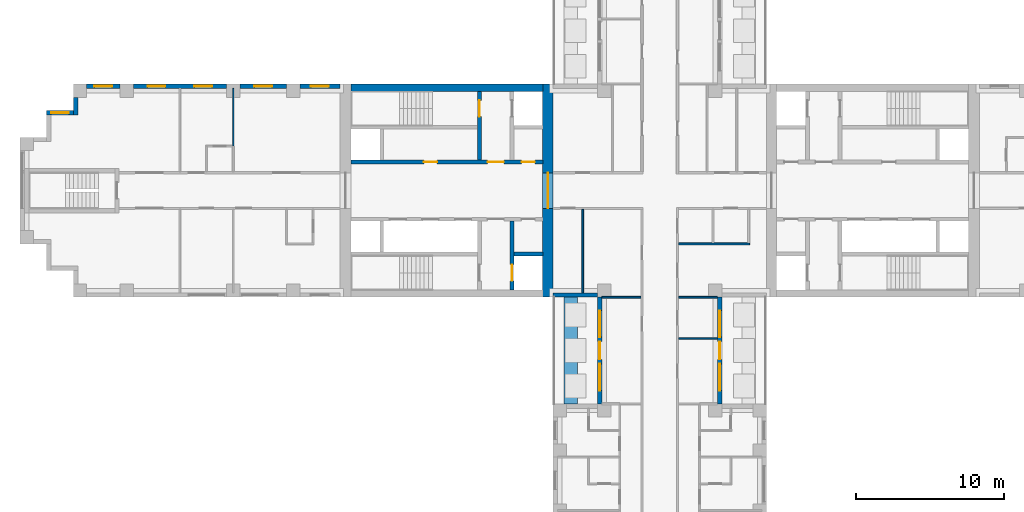
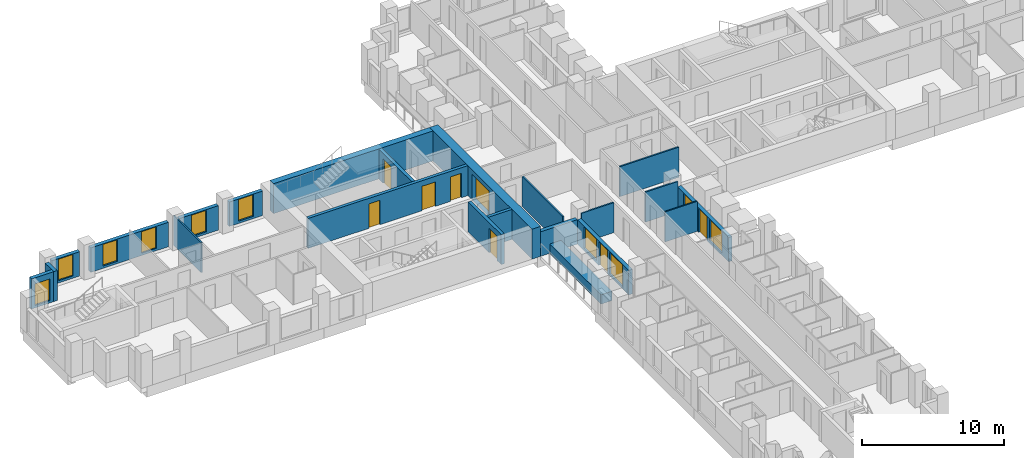
# One storey, part 7 of 14: 22 walls, 10 windows, 8 doors, 18 openings.
"""IFC4 building model written with IfcOpenShell, lengths in metres."""

import ifcopenshell
import ifcopenshell.guid

model = None  # the IFC model being written
_history = None  # IfcOwnerHistory: only IFC2X3 demands one
_inside = {}  # id of a spatial element -> (the spatial element, [elements in it])
_under = {}  # id of a project, library or spatial element -> (it, [spatial elements below it])
_declared = {}  # id of a project -> (the project, [libraries it declares])
_typed = {}  # id of a type object -> (the type object, [elements of that type])
_made_of = {}  # id of a material, layer set ... -> (it, [elements and type objects made of it])


def new_model(schema):
    """Start an empty IFC model of exactly this schema.

    Asked for "IFC4X3", IfcOpenShell would pick the latest addendum, in which some entities
    have other attributes; the version numbers below select the first issue.
    IFC2X3 requires an IfcOwnerHistory on every rooted entity: one is made here for all.
    """
    global model, _history
    if schema == "IFC4X3":
        model = ifcopenshell.file(schema_version=(4, 3, 0, 0))
    else:
        model = ifcopenshell.file(schema=schema)
    _inside.clear()
    _under.clear()
    _declared.clear()
    _typed.clear()
    _made_of.clear()
    _history = None
    if model.schema == "IFC2X3":
        org = make("IfcOrganization", Name="unknown")
        user = make(
            "IfcPersonAndOrganization",
            ThePerson=make("IfcPerson", FamilyName="unknown"),
            TheOrganization=org,
        )
        app = make(
            "IfcApplication",
            ApplicationDeveloper=org,
            Version="unknown",
            ApplicationFullName="unknown",
            ApplicationIdentifier="unknown",
        )
        _history = make(
            "IfcOwnerHistory",
            OwningUser=user,
            OwningApplication=app,
            ChangeAction="ADDED",
            CreationDate=0,
        )
    return model


def make(cls, **values):
    """One entity of the class cls with the attributes given. An attribute that is None is left unset."""
    return model.create_entity(
        cls, **{name: value for name, value in values.items() if value is not None}
    )


def rooted(cls, **values):
    """An entity with a GlobalId (a new one), such as an element, a storey or a relation."""
    return make(cls, GlobalId=ifcopenshell.guid.new(), OwnerHistory=_history, **values)


def si_unit(unit_type, name, prefix=None):
    """IfcSIUnit, for example si_unit("LENGTHUNIT", "METRE", prefix="MILLI")."""
    return make("IfcSIUnit", UnitType=unit_type, Prefix=prefix, Name=name)


def assignment(units):
    """IfcUnitAssignment: the units of a project."""
    return None if units is None else make("IfcUnitAssignment", Units=units)


def point(xyz):
    """IfcCartesianPoint."""
    return None if xyz is None else make("IfcCartesianPoint", Coordinates=xyz)


def direction(xyz):
    """IfcDirection."""
    return None if xyz is None else make("IfcDirection", DirectionRatios=xyz)


def frame(location, z_axis=None, x_axis=None):
    """IfcAxis2Placement3D, a coordinate frame: its origin and axes. An axis left out is left unset."""
    return make(
        "IfcAxis2Placement3D",
        Location=point(location),
        Axis=direction(z_axis),
        RefDirection=direction(x_axis),
    )


def frame_2d(location, x_axis=None):
    """IfcAxis2Placement2D, a coordinate frame in the plane: its origin and x axis."""
    return make(
        "IfcAxis2Placement2D", Location=point(location), RefDirection=direction(x_axis)
    )


def origin():
    """The frame at (0, 0, 0) with its axes left unset."""
    return frame((0.0, 0.0, 0.0))


def place(relative_to, where):
    """IfcLocalPlacement: puts the frame where relative to a parent placement (None: the world)."""
    return make(
        "IfcLocalPlacement", PlacementRelTo=relative_to, RelativePlacement=where
    )


def context(
    kind, dimensions, precision=None, world=None, true_north=None, identifier=None
):
    """IfcGeometricRepresentationContext, for example the 3D "Model" context."""
    return make(
        "IfcGeometricRepresentationContext",
        ContextIdentifier=identifier,
        ContextType=kind,
        CoordinateSpaceDimension=dimensions,
        Precision=precision,
        WorldCoordinateSystem=world,
        TrueNorth=true_north,
    )


def subcontext(parent, identifier, kind, view, scale=None):
    """IfcGeometricRepresentationSubContext, for example "Body" below "Model"."""
    return make(
        "IfcGeometricRepresentationSubContext",
        ContextIdentifier=identifier,
        ContextType=kind,
        ParentContext=parent,
        TargetScale=scale,
        TargetView=view,
    )


def project(units=None, contexts=None):
    """IfcProject with its units and contexts."""
    return rooted(
        "IfcProject",
        Name="project",
        RepresentationContexts=contexts,
        UnitsInContext=assignment(units),
    )


def spatial(cls, under=None, at=None, **own):
    """A site, building, storey or space (cls), placed at a placement, below another one or the project."""
    s = rooted(cls, ObjectPlacement=at, **own)
    if under is not None:
        _under.setdefault(under.id(), (under, []))[1].append(s)
    return s


def profile(cls, at=None, kind="AREA", **sizes):
    """A parametric profile (cls). Its sizes go by their IFC names, for example OverallWidth=200.0."""
    return make(cls, ProfileType=kind, Position=at, **sizes)


def rectangle(**sizes):
    """IfcRectangleProfileDef."""
    return profile("IfcRectangleProfileDef", **sizes)


def extrude(swept, where, along, depth):
    """IfcExtrudedAreaSolid: the profile swept, set in the frame where, extruded along a direction by depth."""
    return make(
        "IfcExtrudedAreaSolid",
        SweptArea=swept,
        Position=where,
        ExtrudedDirection=direction(along),
        Depth=depth,
    )


def shape(context_of_items, identifier, shape_type, items):
    """IfcShapeRepresentation: the items that make up one representation, for example the "Body"."""
    return make(
        "IfcShapeRepresentation",
        ContextOfItems=context_of_items,
        RepresentationIdentifier=identifier,
        RepresentationType=shape_type,
        Items=items,
    )


def material(Name=None, Category=None):
    """IfcMaterial."""
    return make("IfcMaterial", Name=Name, Category=Category)


def layer(
    of_material, thickness, ventilated=None, Name=None, Category=None, Priority=None
):
    """IfcMaterialLayer: one layer of a wall or slab, of a material (None: an air gap)."""
    return make(
        "IfcMaterialLayer",
        Material=of_material,
        LayerThickness=thickness,
        IsVentilated=ventilated,
        Name=Name,
        Category=Category,
        Priority=Priority,
    )


def layer_set(layers, Name=None):
    """IfcMaterialLayerSet."""
    return make("IfcMaterialLayerSet", MaterialLayers=layers, LayerSetName=Name)


def made_of(thing, what):
    """Note that an element or type object is made of a material, layer set ...; save() writes the relation."""
    if what is not None:
        _made_of.setdefault(what.id(), (what, []))[1].append(thing)
    return thing


def type_object(cls, material=None, **own):
    """A type object (cls), such as IfcWallType, which elements share."""
    return made_of(rooted(cls, **own), material)


def element(
    cls,
    number,
    at=None,
    inside=None,
    cuts=None,
    type_object=None,
    material=None,
    context=None,
    identifier="Body",
    shape_type=None,
    held_by="IfcProductDefinitionShape",
    body=None,
    shapes=None,
    **own,
):
    """One element of the class cls, such as IfcWall. Its Tag is "e" and its number.

    at: its placement. inside: the storey or other place that contains it. cuts: it is an
    opening in that element (IfcRelVoidsElement). A single representation is given by context,
    identifier, shape_type and body (its items); several are given by shapes. held_by: the class
    of the entity that holds the representations. save() writes the other relations.
    """
    e = rooted(cls, Tag="e%d" % number, ObjectPlacement=at, **own)
    if body is not None:
        shapes = [shape(context, identifier, shape_type, body)]
    if shapes is not None:
        e.Representation = make(held_by, Representations=shapes)
    if inside is not None:
        _inside.setdefault(inside.id(), (inside, []))[1].append(e)
    if cuts is not None:
        rooted(
            "IfcRelVoidsElement", RelatingBuildingElement=cuts, RelatedOpeningElement=e
        )
    if type_object is not None:
        _typed.setdefault(type_object.id(), (type_object, []))[1].append(e)
    return made_of(e, material)


def fill(opening, filler):
    """IfcRelFillsElement: the door or window that sits in an opening."""
    return rooted(
        "IfcRelFillsElement",
        RelatingOpeningElement=opening,
        RelatedBuildingElement=filler,
    )


def aggregate(whole, parts):
    """IfcRelAggregates: a whole, such as a stair, and the parts it consists of."""
    return rooted("IfcRelAggregates", RelatingObject=whole, RelatedObjects=parts)


def save(model, path):
    """Write the relations noted so far, then the file.

    IfcRelAggregates (storeys below a building ...), IfcRelContainedInSpatialStructure (elements
    in a storey), IfcRelDefinesByType, IfcRelAssociatesMaterial and IfcRelDeclares: one each for
    every whole, place, type object, material and project.
    """
    for whole, parts in _under.values():
        aggregate(whole, parts)
    for where, things in _inside.values():
        rooted(
            "IfcRelContainedInSpatialStructure",
            RelatedElements=things,
            RelatingStructure=where,
        )
    for kind, things in _typed.values():
        rooted("IfcRelDefinesByType", RelatedObjects=things, RelatingType=kind)
    for what, things in _made_of.values():
        rooted("IfcRelAssociatesMaterial", RelatedObjects=things, RelatingMaterial=what)
    for by, libraries in _declared.values():
        rooted("IfcRelDeclares", RelatingContext=by, RelatedDefinitions=libraries)
    model.write(path)


model = new_model("IFC4")

# Units and contexts
model_context = context("Model", 3, precision=1e-05, world=origin(), true_north=direction((0.0, 1.0)))
body_context = subcontext(model_context, "Body", "Model", "MODEL_VIEW")
ifc_project = project(units=[si_unit("LENGTHUNIT", "METRE"), si_unit("AREAUNIT", "SQUARE_METRE"), si_unit("VOLUMEUNIT", "CUBIC_METRE"), si_unit("PLANEANGLEUNIT", "RADIAN"), si_unit("MASSUNIT", "GRAM", prefix="KILO")], contexts=[model_context])

# Site, building, storey
site_placement = place(None, origin())
site = spatial("IfcSite", under=ifc_project, at=site_placement, CompositionType="ELEMENT")
building_placement = place(site_placement, origin())
building = spatial("IfcBuilding", under=site, at=building_placement, Name="Fustian Cross Tower", CompositionType="ELEMENT")
storey_placement = place(building_placement, frame((0.0, 0.0, 93.89990234375)))
storey = spatial("IfcBuildingStorey", under=building, at=storey_placement, Name="L29", CompositionType="ELEMENT", Elevation=93.89990234375)

# Wall, opening, door
ifc_material_1 = material(Name="Concrete C70/85", Category="concrete")
ifc_layer_1 = layer(ifc_material_1, 0.699951171875)
ifc_layer_set_1 = layer_set([ifc_layer_1], Name="Concrete C70/85")
wall_type_1 = type_object("IfcWallType", Name="CORE END WALL 700 C70/85", PredefinedType="SHEAR", material=ifc_layer_set_1)
wall_1_placement = place(storey_placement, frame((-7.550048828125, -7.199951171875, 0.0), z_axis=(0.0, 0.0, 1.0), x_axis=(0.0, 1.0, 0.0)))
wall_1 = element("IfcWall", 1, at=wall_1_placement, inside=storey, type_object=wall_type_1, Name="Core end wall", PredefinedType="SHEAR", context=body_context, shape_type="SweptSolid", body=[
    extrude(rectangle(XDim=14.39990234375, YDim=0.699951171875, at=frame_2d((7.199951171875, 0.0))), origin(), (0.0, 0.0, 1.0), 2.5751953125),
])
opening_1_placement = place(wall_1_placement, frame((6.0, 0.0, 0.0)))
opening_1 = element("IfcOpeningElement", 2, at=opening_1_placement, cuts=wall_1, Name="Opening CD-09-26", PredefinedType="OPENING", context=body_context, shape_type="SweptSolid", body=[
    extrude(rectangle(XDim=2.39990234375, YDim=2.199951171875, at=frame_2d((1.199951171875, 1.10009765625))), frame((0.0, 0.35986328125, 0.0), z_axis=(0.0, -1.0, 0.0), x_axis=(1.0, 0.0, 0.0)), (0.0, 0.0, 1.0), 0.719970703125),
])
ifc_material_2 = material(Name="Steel", Category="steel")
door_type_1 = type_object("IfcDoorType", Name="FIRE DOOR FD30S DOUBLE 2400X2200", OperationType="DOUBLE_DOOR_DOUBLE_SWING", PredefinedType="DOOR", material=ifc_material_2)
door_1_placement = place(opening_1_placement, origin())
door_1 = element("IfcDoor", 3, at=door_1_placement, inside=storey, type_object=door_type_1, Name="Core door CD-09-26", OperationType="DOUBLE_DOOR_DOUBLE_SWING", OverallHeight=2.199951171875, OverallWidth=2.39990234375, PredefinedType="DOOR", context=body_context, shape_type="SweptSolid", body=[
    extrude(rectangle(XDim=2.39990234375, YDim=2.199951171875, at=frame_2d((1.199951171875, 1.10009765625))), frame((0.0, 0.02490234375, 0.0), z_axis=(0.0, -1.0, 0.0), x_axis=(1.0, 0.0, 0.0)), (0.0, 0.0, 1.0), 0.050048828125),
])
fill(opening_1, door_1)

# Wall
ifc_material_3 = material(Name="Concrete C70/85", Category="concrete")
ifc_layer_2 = layer(ifc_material_3, 0.5)
ifc_layer_set_2 = layer_set([ifc_layer_2], Name="Concrete C70/85")
wall_type_2 = type_object("IfcWallType", Name="CORE FACADE WALL 500 C70/85", PredefinedType="SHEAR", material=ifc_layer_set_2)
wall_2_placement = place(storey_placement, frame((-7.89990234375, 6.949951171875, 0.0), z_axis=(0.0, 0.0, 1.0), x_axis=(-1.0, 0.0, 0.0)))
element("IfcWall", 4, at=wall_2_placement, inside=storey, type_object=wall_type_2, Name="Core facade wall", PredefinedType="SHEAR", context=body_context, shape_type="SweptSolid", body=[
    extrude(rectangle(XDim=12.9501953125, YDim=0.5, at=frame_2d((6.47509765625, 0.0))), origin(), (0.0, 0.0, 1.0), 2.5751953125),
])

# Wall, openings, doors
ifc_material_4 = material(Name="Concrete C50/60", Category="concrete")
ifc_layer_3 = layer(ifc_material_4, 0.25)
ifc_layer_set_3 = layer_set([ifc_layer_3], Name="Concrete C50/60")
wall_type_3 = type_object("IfcWallType", Name="CORE LOBBY WALL 250 C50/60", PredefinedType="SHEAR", material=ifc_layer_set_3)
wall_3_placement = place(storey_placement, frame((-7.89990234375, 1.925048828125, 0.0), z_axis=(0.0, 0.0, 1.0), x_axis=(-1.0, 0.0, 0.0)))
wall_3 = element("IfcWall", 5, at=wall_3_placement, inside=storey, type_object=wall_type_3, Name="Core lobby wall", PredefinedType="SHEAR", context=body_context, shape_type="SweptSolid", body=[
    extrude(rectangle(XDim=12.9501953125, YDim=0.25, at=frame_2d((6.47509765625, 0.0))), origin(), (0.0, 0.0, 1.0), 2.5751953125),
])
opening_2_placement = place(wall_3_placement, frame((0.52490234375, 0.0, 0.0)))
opening_2 = element("IfcOpeningElement", 6, at=opening_2_placement, cuts=wall_3, Name="Opening CD-09-22", PredefinedType="OPENING", context=body_context, shape_type="SweptSolid", body=[
    extrude(rectangle(XDim=0.89990234375, YDim=2.10009765625, at=frame_2d((0.449951171875, 1.050048828125))), frame((0.0, 0.135009765625, 0.0), z_axis=(0.0, -1.0, 0.0), x_axis=(1.0, 0.0, 0.0)), (0.0, 0.0, 1.0), 0.27001953125),
])
opening_3_placement = place(wall_3_placement, frame((2.625, 0.0, 0.0)))
opening_3 = element("IfcOpeningElement", 7, at=opening_3_placement, cuts=wall_3, Name="Opening CD-09-24", PredefinedType="OPENING", context=body_context, shape_type="SweptSolid", body=[
    extrude(rectangle(XDim=1.10009765625, YDim=2.10009765625, at=frame_2d((0.550048828125, 1.050048828125))), frame((0.0, 0.135009765625, 0.0), z_axis=(0.0, -1.0, 0.0), x_axis=(1.0, 0.0, 0.0)), (0.0, 0.0, 1.0), 0.27001953125),
])
opening_4_placement = place(wall_3_placement, frame((7.125, 0.0, 0.0)))
opening_4 = element("IfcOpeningElement", 8, at=opening_4_placement, cuts=wall_3, Name="Opening CD-09-28", PredefinedType="OPENING", context=body_context, shape_type="SweptSolid", body=[
    extrude(rectangle(XDim=0.89990234375, YDim=2.10009765625, at=frame_2d((0.449951171875, 1.050048828125))), frame((0.0, 0.135009765625, 0.0), z_axis=(0.0, -1.0, 0.0), x_axis=(1.0, 0.0, 0.0)), (0.0, 0.0, 1.0), 0.27001953125),
])
ifc_material_5 = material(Name="Steel", Category="steel")
door_type_2 = type_object("IfcDoorType", Name="FIRE DOOR FD30S 900X2100", OperationType="SINGLE_SWING_LEFT", PredefinedType="DOOR", material=ifc_material_5)
door_2_placement = place(opening_4_placement, frame((0.89990234375, 0.0, 0.0), z_axis=(0.0, 0.0, 1.0), x_axis=(-1.0, 0.0, 0.0)))
door_2 = element("IfcDoor", 9, at=door_2_placement, inside=storey, type_object=door_type_2, Name="Core door CD-09-28", OperationType="SINGLE_SWING_RIGHT", OverallHeight=2.10009765625, OverallWidth=0.89990234375, PredefinedType="DOOR", context=body_context, shape_type="SweptSolid", body=[
    extrude(rectangle(XDim=0.89990234375, YDim=2.10009765625, at=frame_2d((0.449951171875, 1.050048828125))), frame((0.0, 0.02490234375, 0.0), z_axis=(0.0, -1.0, 0.0), x_axis=(1.0, 0.0, 0.0)), (0.0, 0.0, 1.0), 0.050048828125),
])
fill(opening_4, door_2)
ifc_material_6 = material(Name="Steel", Category="steel")
door_type_3 = type_object("IfcDoorType", Name="FIRE DOOR FD60S 1100X2100", OperationType="SINGLE_SWING_LEFT", PredefinedType="DOOR", material=ifc_material_6)
door_3_placement = place(opening_3_placement, frame((1.10009765625, 0.0, 0.0), z_axis=(0.0, 0.0, 1.0), x_axis=(-1.0, 0.0, 0.0)))
door_3 = element("IfcDoor", 10, at=door_3_placement, inside=storey, type_object=door_type_3, Name="Core door CD-09-24", OperationType="SINGLE_SWING_RIGHT", OverallHeight=2.10009765625, OverallWidth=1.10009765625, PredefinedType="DOOR", context=body_context, shape_type="SweptSolid", body=[
    extrude(rectangle(XDim=1.10009765625, YDim=2.10009765625, at=frame_2d((0.550048828125, 1.050048828125))), frame((0.0, 0.02490234375, 0.0), z_axis=(0.0, -1.0, 0.0), x_axis=(1.0, 0.0, 0.0)), (0.0, 0.0, 1.0), 0.050048828125),
])
fill(opening_3, door_3)
ifc_material_7 = material(Name="Steel", Category="steel")
door_type_4 = type_object("IfcDoorType", Name="FIRE DOOR FD60S 900X2100", OperationType="SINGLE_SWING_LEFT", PredefinedType="DOOR", material=ifc_material_7)
door_4_placement = place(opening_2_placement, frame((0.89990234375, 0.0, 0.0), z_axis=(0.0, 0.0, 1.0), x_axis=(-1.0, 0.0, 0.0)))
door_4 = element("IfcDoor", 11, at=door_4_placement, inside=storey, type_object=door_type_4, Name="Core door CD-09-22", OperationType="SINGLE_SWING_RIGHT", OverallHeight=2.10009765625, OverallWidth=0.89990234375, PredefinedType="DOOR", context=body_context, shape_type="SweptSolid", body=[
    extrude(rectangle(XDim=0.89990234375, YDim=2.10009765625, at=frame_2d((0.449951171875, 1.050048828125))), frame((0.0, 0.02490234375, 0.0), z_axis=(0.0, -1.0, 0.0), x_axis=(1.0, 0.0, 0.0)), (0.0, 0.0, 1.0), 0.050048828125),
])
fill(opening_2, door_4)

# Wall, opening, door
ifc_material_8 = material(Name="Concrete C50/60", Category="concrete")
ifc_layer_4 = layer(ifc_material_8, 0.25)
ifc_layer_set_4 = layer_set([ifc_layer_4], Name="Concrete C50/60")
wall_type_4 = type_object("IfcWallType", Name="CORE SHAFT WALL 250 C50/60", PredefinedType="SHEAR", material=ifc_layer_set_4)
wall_4_placement = place(storey_placement, frame((-12.175048828125, 2.050048828125, 0.0), z_axis=(0.0, 0.0, 1.0), x_axis=(0.0, 1.0, 0.0)))
wall_4 = element("IfcWall", 12, at=wall_4_placement, inside=storey, type_object=wall_type_4, Name="Core shaft wall", PredefinedType="SHEAR", context=body_context, shape_type="SweptSolid", body=[
    extrude(rectangle(XDim=4.64990234375, YDim=0.25, at=frame_2d((2.324951171875, 0.0))), origin(), (0.0, 0.0, 1.0), 2.5751953125),
])
opening_5_placement = place(wall_4_placement, frame((2.949951171875, 0.0, 0.0)))
opening_5 = element("IfcOpeningElement", 13, at=opening_5_placement, cuts=wall_4, Name="Opening CD-09-20", PredefinedType="OPENING", context=body_context, shape_type="SweptSolid", body=[
    extrude(rectangle(XDim=1.10009765625, YDim=2.10009765625, at=frame_2d((0.550048828125, 1.050048828125))), frame((0.0, 0.135009765625, 0.0), z_axis=(0.0, -1.0, 0.0), x_axis=(1.0, 0.0, 0.0)), (0.0, 0.0, 1.0), 0.27001953125),
])
door_5_placement = place(opening_5_placement, origin())
door_5 = element("IfcDoor", 14, at=door_5_placement, inside=storey, type_object=door_type_3, Name="Core door CD-09-20", OperationType="SINGLE_SWING_LEFT", OverallHeight=2.10009765625, OverallWidth=1.10009765625, PredefinedType="DOOR", context=body_context, shape_type="SweptSolid", body=[
    extrude(rectangle(XDim=1.10009765625, YDim=2.10009765625, at=frame_2d((0.550048828125, 1.050048828125))), frame((0.0, 0.02490234375, 0.0), z_axis=(0.0, -1.0, 0.0), x_axis=(1.0, 0.0, 0.0)), (0.0, 0.0, 1.0), 0.050048828125),
])
fill(opening_5, door_5)

# Wall
wall_5_placement = place(storey_placement, frame((-7.89990234375, -4.27490234375, 0.0), z_axis=(0.0, 0.0, 1.0), x_axis=(-1.0, 0.0, 0.0)))
element("IfcWall", 15, at=wall_5_placement, inside=storey, type_object=wall_type_4, Name="Core shaft wall", PredefinedType="SHEAR", context=body_context, shape_type="SweptSolid", body=[
    extrude(rectangle(XDim=1.9501953125, YDim=0.25, at=frame_2d((0.97509765625, 0.0))), origin(), (0.0, 0.0, 1.0), 2.5751953125),
])

# Wall, opening, door
wall_6_placement = place(storey_placement, frame((-9.97509765625, -2.050048828125, 0.0), z_axis=(0.0, 0.0, 1.0), x_axis=(0.0, -1.0, 0.0)))
wall_6 = element("IfcWall", 16, at=wall_6_placement, inside=storey, type_object=wall_type_4, Name="Core shaft wall", PredefinedType="SHEAR", context=body_context, shape_type="SweptSolid", body=[
    extrude(rectangle(XDim=4.64990234375, YDim=0.25, at=frame_2d((2.324951171875, 0.0))), origin(), (0.0, 0.0, 1.0), 2.5751953125),
])
opening_6_placement = place(wall_6_placement, frame((2.949951171875, 0.0, 0.0)))
opening_6 = element("IfcOpeningElement", 17, at=opening_6_placement, cuts=wall_6, Name="Opening LD", PredefinedType="OPENING", context=body_context, shape_type="SweptSolid", body=[
    extrude(rectangle(XDim=1.10009765625, YDim=2.10009765625, at=frame_2d((0.550048828125, 1.050048828125))), frame((0.0, 0.135009765625, 0.0), z_axis=(0.0, -1.0, 0.0), x_axis=(1.0, 0.0, 0.0)), (0.0, 0.0, 1.0), 0.27001953125),
])
ifc_material_9 = material(Name="Stainless steel", Category="steel")
door_type_5 = type_object("IfcDoorType", Name="LIFT LANDING DOOR 1100X2100", OperationType="SLIDING_TO_LEFT", PredefinedType="DOOR", material=ifc_material_9)
door_6_placement = place(opening_6_placement, origin())
door_6 = element("IfcDoor", 18, at=door_6_placement, inside=storey, type_object=door_type_5, Name="Landing door SV1W", OperationType="SLIDING_TO_LEFT", OverallHeight=2.10009765625, OverallWidth=1.10009765625, PredefinedType="DOOR", context=body_context, shape_type="SweptSolid", body=[
    extrude(rectangle(XDim=1.10009765625, YDim=2.10009765625, at=frame_2d((0.550048828125, 1.050048828125))), frame((0.0, 0.02490234375, 0.0), z_axis=(0.0, -1.0, 0.0), x_axis=(1.0, 0.0, 0.0)), (0.0, 0.0, 1.0), 0.050048828125),
])
fill(opening_6, door_6)

# Walls
ifc_material_10 = material(Name="Plasterboard on steel stud", Category="steel")
ifc_layer_5 = layer(ifc_material_10, 0.10009765625)
ifc_layer_set_5 = layer_set([ifc_layer_5], Name="Plasterboard on steel stud")
wall_type_5 = type_object("IfcWallType", Name="PARTITION 100 STUD", PredefinedType="PARTITIONING", material=ifc_layer_set_5)
wall_7_placement = place(storey_placement, frame((-28.800048828125, 3.0, 0.0), z_axis=(0.0, 0.0, 1.0), x_axis=(0.0, 1.0, 0.0)))
element("IfcWall", 19, at=wall_7_placement, inside=storey, type_object=wall_type_5, Name="Partition 9", PredefinedType="PARTITIONING", context=body_context, shape_type="SweptSolid", body=[
    extrude(rectangle(XDim=3.89990234375, YDim=0.10009765625, at=frame_2d((1.949951171875, 0.0))), origin(), (0.0, 0.0, 1.0), 2.5751953125),
])
wall_8_placement = place(storey_placement, frame((1.27490234375, -10.0, 0.0), z_axis=(0.0, 0.0, 1.0), x_axis=(1.0, 0.0, 0.0)))
element("IfcWall", 20, at=wall_8_placement, inside=storey, type_object=wall_type_5, Name="Partition 46", PredefinedType="PARTITIONING", context=body_context, shape_type="SweptSolid", body=[
    extrude(rectangle(XDim=2.625, YDim=0.10009765625, at=frame_2d((1.3125, 0.0))), origin(), (0.0, 0.0, 1.0), 2.5751953125),
])
ifc_material_11 = material(Name="Concrete C40/50", Category="concrete")
ifc_layer_6 = layer(ifc_material_11, 0.89990234375)
ifc_layer_set_6 = layer_set([ifc_layer_6], Name="Concrete C40/50")
wall_type_6 = type_object("IfcWallType", Name="PK1 PLANTER 900", PredefinedType="PARAPET", material=ifc_layer_set_6)
wall_9_placement = place(storey_placement, frame((-6.0, -14.39990234375, 0.0), z_axis=(0.0, 0.0, 1.0), x_axis=(0.0, 1.0, 0.0)))
element("IfcWall", 21, at=wall_9_placement, inside=storey, type_object=wall_type_6, Name="PLANTER", PredefinedType="PARAPET", context=body_context, shape_type="SweptSolid", body=[
    extrude(rectangle(XDim=7.199951171875, YDim=0.89990234375, at=frame_2d((3.60009765625, 0.0))), origin(), (0.0, 0.0, 1.0), 0.800048828125),
])
ifc_material_12 = material(Name="Plasterboard on steel stud", Category="steel")
ifc_layer_7 = layer(ifc_material_12, 0.125)
ifc_layer_set_7 = layer_set([ifc_layer_7], Name="Plasterboard on steel stud")
wall_type_7 = type_object("IfcWallType", Name="WET WALL 125 STUD", PredefinedType="PARTITIONING", material=ifc_layer_set_7)
wall_10_placement = place(storey_placement, frame((-5.199951171875, -6.89990234375, 0.0), z_axis=(0.0, 0.0, 1.0), x_axis=(0.0, 1.0, 0.0)))
element("IfcWall", 22, at=wall_10_placement, inside=storey, type_object=wall_type_7, Name="Partition 22", PredefinedType="PARTITIONING", context=body_context, shape_type="SweptSolid", body=[
    extrude(rectangle(XDim=5.625, YDim=0.125, at=frame_2d((2.8125, 0.0))), origin(), (0.0, 0.0, 1.0), 2.5751953125),
])
for number, where, z_axis, x_axis, name in (
    (23, (-3.89990234375, -7.199951171875, 0.0), (0.0, 0.0, 1.0), (1.0, 0.0, 0.0), "Partition 34"),
    (24, (1.27490234375, -7.199951171875, 0.0), (0.0, 0.0, 1.0), (1.0, 0.0, 0.0), "Partition 47"),
):
    element("IfcWall", number, at=place(storey_placement, frame(where, z_axis=z_axis, x_axis=x_axis)), inside=storey, type_object=wall_type_7, Name=name, PredefinedType="PARTITIONING", context=body_context, shape_type="SweptSolid", body=[
        extrude(rectangle(XDim=2.625, YDim=0.125, at=frame_2d((1.3125, 0.0))), origin(), (0.0, 0.0, 1.0), 2.5751953125),
    ])
wall_11_placement = place(storey_placement, frame((1.27490234375, -3.60009765625, 0.0), z_axis=(0.0, 0.0, 1.0), x_axis=(1.0, 0.0, 0.0)))
element("IfcWall", 25, at=wall_11_placement, inside=storey, type_object=wall_type_7, Name="Partition 48", PredefinedType="PARTITIONING", context=body_context, shape_type="SweptSolid", body=[
    extrude(rectangle(XDim=4.78759765625, YDim=0.125, at=frame_2d((2.393798828125, 0.0))), origin(), (0.0, 0.0, 1.0), 2.5751953125),
])

# Wall, opening, window
ifc_material_13 = material(Name="Dark aluminium cladding on insulated backing wall", Category="aluminium")
ifc_layer_8 = layer(ifc_material_13, 0.300048828125)
ifc_layer_set_8 = layer_set([ifc_layer_8], Name="Dark aluminium cladding on insulated backing wall")
wall_type_8 = type_object("IfcWallType", Name="XW1 EXTERNAL WALL 300", PredefinedType="SOLIDWALL", material=ifc_layer_set_8)
wall_12_placement = place(storey_placement, frame((-21.60009765625, 7.050048828125, 0.0), z_axis=(0.0, 0.0, 1.0), x_axis=(-1.0, 0.0, 0.0)))
wall_12 = element("IfcWall", 26, at=wall_12_placement, inside=storey, type_object=wall_type_8, Name="External wall", PredefinedType="SOLIDWALL", context=body_context, shape_type="SweptSolid", body=[
    extrude(rectangle(XDim=2.699951171875, YDim=0.300048828125, at=frame_2d((1.35009765625, 0.0))), origin(), (0.0, 0.0, 1.0), 2.10009765625),
])
opening_7_placement = place(wall_12_placement, frame((0.75, 0.0, 0.199951171875)))
opening_7 = element("IfcOpeningElement", 27, at=opening_7_placement, cuts=wall_12, Name="Opening WN3", PredefinedType="OPENING", context=body_context, shape_type="SweptSolid", body=[
    extrude(rectangle(XDim=1.199951171875, YDim=1.85009765625, at=frame_2d((0.60009765625, 0.925048828125))), frame((0.0, 0.159912109375, 0.0), z_axis=(0.0, -1.0, 0.0), x_axis=(1.0, 0.0, 0.0)), (0.0, 0.0, 1.0), 0.320068359375),
])
ifc_material_14 = material(Name="Dark anodised aluminium and double glazing", Category="aluminium")
window_type_1 = type_object("IfcWindowType", Name="WN3 WINDOW 1200X1850", PartitioningType="SINGLE_PANEL", PredefinedType="WINDOW", material=ifc_material_14)
window_1_placement = place(opening_7_placement, origin())
window_1 = element("IfcWindow", 28, at=window_1_placement, inside=storey, type_object=window_type_1, Name="Window", OverallHeight=1.85009765625, OverallWidth=1.199951171875, PartitioningType="SINGLE_PANEL", PredefinedType="WINDOW", context=body_context, shape_type="SweptSolid", body=[
    extrude(rectangle(XDim=1.199951171875, YDim=1.85009765625, at=frame_2d((0.60009765625, 0.925048828125))), frame((0.0, 0.030029296875, 0.0), z_axis=(0.0, -1.0, 0.0), x_axis=(1.0, 0.0, 0.0)), (0.0, 0.0, 1.0), 0.06005859375),
])
fill(opening_7, window_1)

wall_13_placement = place(storey_placement, frame((-25.199951171875, 7.050048828125, 0.0), z_axis=(0.0, 0.0, 1.0), x_axis=(-1.0, 0.0, 0.0)))
wall_13 = element("IfcWall", 29, at=wall_13_placement, inside=storey, type_object=wall_type_8, Name="External wall", PredefinedType="SOLIDWALL", context=body_context, shape_type="SweptSolid", body=[
    extrude(rectangle(XDim=3.150146484375, YDim=0.300048828125, at=frame_2d((1.5751953125, 0.0))), origin(), (0.0, 0.0, 1.0), 2.10009765625),
])
opening_8_placement = place(wall_13_placement, frame((0.97509765625, 0.0, 0.199951171875)))
opening_8 = element("IfcOpeningElement", 30, at=opening_8_placement, cuts=wall_13, Name="Opening WN3", PredefinedType="OPENING", context=body_context, shape_type="SweptSolid", body=[
    extrude(rectangle(XDim=1.199951171875, YDim=1.85009765625, at=frame_2d((0.60009765625, 0.925048828125))), frame((0.0, 0.159912109375, 0.0), z_axis=(0.0, -1.0, 0.0), x_axis=(1.0, 0.0, 0.0)), (0.0, 0.0, 1.0), 0.320068359375),
])
window_2_placement = place(opening_8_placement, origin())
window_2 = element("IfcWindow", 31, at=window_2_placement, inside=storey, type_object=window_type_1, Name="Window", OverallHeight=1.85009765625, OverallWidth=1.199951171875, PartitioningType="SINGLE_PANEL", PredefinedType="WINDOW", context=body_context, shape_type="SweptSolid", body=[
    extrude(rectangle(XDim=1.199951171875, YDim=1.85009765625, at=frame_2d((0.60009765625, 0.925048828125))), frame((0.0, 0.030029296875, 0.0), z_axis=(0.0, -1.0, 0.0), x_axis=(1.0, 0.0, 0.0)), (0.0, 0.0, 1.0), 0.06005859375),
])
fill(opening_8, window_2)

# Wall, openings, windows
wall_14_placement = place(storey_placement, frame((-29.25, 7.050048828125, 0.0), z_axis=(0.0, 0.0, 1.0), x_axis=(-1.0, 0.0, 0.0)))
wall_14 = element("IfcWall", 32, at=wall_14_placement, inside=storey, type_object=wall_type_8, Name="External wall", PredefinedType="SOLIDWALL", context=body_context, shape_type="SweptSolid", body=[
    extrude(rectangle(XDim=6.300048828125, YDim=0.300048828125, at=frame_2d((3.14990234375, 0.0))), origin(), (0.0, 0.0, 1.0), 2.10009765625),
])
opening_9_placement = place(wall_14_placement, frame((0.97509765625, 0.0, 0.199951171875)))
opening_9 = element("IfcOpeningElement", 33, at=opening_9_placement, cuts=wall_14, Name="Opening WN3", PredefinedType="OPENING", context=body_context, shape_type="SweptSolid", body=[
    extrude(rectangle(XDim=1.199951171875, YDim=1.85009765625, at=frame_2d((0.60009765625, 0.925048828125))), frame((0.0, 0.159912109375, 0.0), z_axis=(0.0, -1.0, 0.0), x_axis=(1.0, 0.0, 0.0)), (0.0, 0.0, 1.0), 0.320068359375),
])
opening_10_placement = place(wall_14_placement, frame((4.125, 0.0, 0.199951171875)))
opening_10 = element("IfcOpeningElement", 34, at=opening_10_placement, cuts=wall_14, Name="Opening WN3", PredefinedType="OPENING", context=body_context, shape_type="SweptSolid", body=[
    extrude(rectangle(XDim=1.199951171875, YDim=1.85009765625, at=frame_2d((0.60009765625, 0.925048828125))), frame((0.0, 0.159912109375, 0.0), z_axis=(0.0, -1.0, 0.0), x_axis=(1.0, 0.0, 0.0)), (0.0, 0.0, 1.0), 0.320068359375),
])
window_3_placement = place(opening_9_placement, origin())
window_3 = element("IfcWindow", 35, at=window_3_placement, inside=storey, type_object=window_type_1, Name="Window", OverallHeight=1.85009765625, OverallWidth=1.199951171875, PartitioningType="SINGLE_PANEL", PredefinedType="WINDOW", context=body_context, shape_type="SweptSolid", body=[
    extrude(rectangle(XDim=1.199951171875, YDim=1.85009765625, at=frame_2d((0.60009765625, 0.925048828125))), frame((0.0, 0.030029296875, 0.0), z_axis=(0.0, -1.0, 0.0), x_axis=(1.0, 0.0, 0.0)), (0.0, 0.0, 1.0), 0.06005859375),
])
fill(opening_9, window_3)
window_4_placement = place(opening_10_placement, origin())
window_4 = element("IfcWindow", 36, at=window_4_placement, inside=storey, type_object=window_type_1, Name="Window", OverallHeight=1.85009765625, OverallWidth=1.199951171875, PartitioningType="SINGLE_PANEL", PredefinedType="WINDOW", context=body_context, shape_type="SweptSolid", body=[
    extrude(rectangle(XDim=1.199951171875, YDim=1.85009765625, at=frame_2d((0.60009765625, 0.925048828125))), frame((0.0, 0.030029296875, 0.0), z_axis=(0.0, -1.0, 0.0), x_axis=(1.0, 0.0, 0.0)), (0.0, 0.0, 1.0), 0.06005859375),
])
fill(opening_10, window_4)

# Wall, opening, window
wall_15_placement = place(storey_placement, frame((-36.449951171875, 7.050048828125, 0.0), z_axis=(0.0, 0.0, 1.0), x_axis=(-1.0, 0.0, 0.0)))
wall_15 = element("IfcWall", 37, at=wall_15_placement, inside=storey, type_object=wall_type_8, Name="External wall", PredefinedType="SOLIDWALL", context=body_context, shape_type="SweptSolid", body=[
    extrude(rectangle(XDim=2.25, YDim=0.300048828125, at=frame_2d((1.125, 0.0))), origin(), (0.0, 0.0, 1.0), 2.10009765625),
])
opening_11_placement = place(wall_15_placement, frame((0.52490234375, 0.0, 0.199951171875)))
opening_11 = element("IfcOpeningElement", 38, at=opening_11_placement, cuts=wall_15, Name="Opening WN3", PredefinedType="OPENING", context=body_context, shape_type="SweptSolid", body=[
    extrude(rectangle(XDim=1.199951171875, YDim=1.85009765625, at=frame_2d((0.60009765625, 0.925048828125))), frame((0.0, 0.159912109375, 0.0), z_axis=(0.0, -1.0, 0.0), x_axis=(1.0, 0.0, 0.0)), (0.0, 0.0, 1.0), 0.320068359375),
])
window_5_placement = place(opening_11_placement, origin())
window_5 = element("IfcWindow", 39, at=window_5_placement, inside=storey, type_object=window_type_1, Name="Window", OverallHeight=1.85009765625, OverallWidth=1.199951171875, PartitioningType="SINGLE_PANEL", PredefinedType="WINDOW", context=body_context, shape_type="SweptSolid", body=[
    extrude(rectangle(XDim=1.199951171875, YDim=1.85009765625, at=frame_2d((0.60009765625, 0.925048828125))), frame((0.0, 0.030029296875, 0.0), z_axis=(0.0, -1.0, 0.0), x_axis=(1.0, 0.0, 0.0)), (0.0, 0.0, 1.0), 0.06005859375),
])
fill(opening_11, window_5)

# Wall
wall_16_placement = place(storey_placement, frame((-39.449951171875, 6.300048828125, 0.0), z_axis=(0.0, 0.0, 1.0), x_axis=(0.0, -1.0, 0.0)))
element("IfcWall", 40, at=wall_16_placement, inside=storey, type_object=wall_type_8, Name="External wall", PredefinedType="SOLIDWALL", context=body_context, shape_type="SweptSolid", body=[
    extrude(rectangle(XDim=1.199951171875, YDim=0.300048828125, at=frame_2d((0.60009765625, 0.0))), origin(), (0.0, 0.0, 1.0), 2.5751953125),
])

# Wall, opening, window
wall_17_placement = place(storey_placement, frame((-39.60009765625, 5.25, 0.0), z_axis=(0.0, 0.0, 1.0), x_axis=(-1.0, 0.0, 0.0)))
wall_17 = element("IfcWall", 41, at=wall_17_placement, inside=storey, type_object=wall_type_8, Name="External wall", PredefinedType="SOLIDWALL", context=body_context, shape_type="SweptSolid", body=[
    extrude(rectangle(XDim=1.7998046875, YDim=0.300048828125, at=frame_2d((0.89990234375, 0.0))), origin(), (0.0, 0.0, 1.0), 2.5751953125),
])
opening_12_placement = place(wall_17_placement, frame((0.300048828125, 0.0, 0.199951171875)))
opening_12 = element("IfcOpeningElement", 42, at=opening_12_placement, cuts=wall_17, Name="Opening WN3", PredefinedType="OPENING", context=body_context, shape_type="SweptSolid", body=[
    extrude(rectangle(XDim=1.199951171875, YDim=1.85009765625, at=frame_2d((0.60009765625, 0.925048828125))), frame((0.0, 0.159912109375, 0.0), z_axis=(0.0, -1.0, 0.0), x_axis=(1.0, 0.0, 0.0)), (0.0, 0.0, 1.0), 0.320068359375),
])
window_6_placement = place(opening_12_placement, origin())
window_6 = element("IfcWindow", 43, at=window_6_placement, inside=storey, type_object=window_type_1, Name="Window", OverallHeight=1.85009765625, OverallWidth=1.199951171875, PartitioningType="SINGLE_PANEL", PredefinedType="WINDOW", context=body_context, shape_type="SweptSolid", body=[
    extrude(rectangle(XDim=1.199951171875, YDim=1.85009765625, at=frame_2d((0.60009765625, 0.925048828125))), frame((0.0, 0.030029296875, 0.0), z_axis=(0.0, -1.0, 0.0), x_axis=(1.0, 0.0, 0.0)), (0.0, 0.0, 1.0), 0.06005859375),
])
fill(opening_12, window_6)

# Wall
wall_18_placement = place(storey_placement, frame((-7.199951171875, -7.050048828125, 0.0), z_axis=(0.0, 0.0, 1.0), x_axis=(1.0, 0.0, 0.0)))
element("IfcWall", 44, at=wall_18_placement, inside=storey, type_object=wall_type_8, Name="External wall", PredefinedType="SOLIDWALL", context=body_context, shape_type="SweptSolid", body=[
    extrude(rectangle(XDim=3.0, YDim=0.300048828125, at=frame_2d((1.5, 0.0))), origin(), (0.0, 0.0, 1.0), 2.10009765625),
])

# Wall, openings, door, windows
wall_19_placement = place(storey_placement, frame((-4.050048828125, -7.199951171875, 0.0), z_axis=(0.0, 0.0, 1.0), x_axis=(0.0, -1.0, 0.0)))
wall_19 = element("IfcWall", 45, at=wall_19_placement, inside=storey, type_object=wall_type_8, Name="External wall", PredefinedType="SOLIDWALL", context=body_context, shape_type="SweptSolid", body=[
    extrude(rectangle(XDim=7.199951171875, YDim=0.300048828125, at=frame_2d((3.60009765625, 0.0))), origin(), (0.0, 0.0, 1.0), 2.10009765625),
])
opening_13_placement = place(wall_19_placement, frame((3.0, 0.0, 0.0)))
opening_13 = element("IfcOpeningElement", 46, at=opening_13_placement, cuts=wall_19, Name="Opening XD4", PredefinedType="OPENING", context=body_context, shape_type="SweptSolid", body=[
    extrude(rectangle(XDim=1.199951171875, YDim=2.050048828125, at=frame_2d((0.60009765625, 1.02490234375))), frame((0.0, 0.159912109375, 0.0), z_axis=(0.0, -1.0, 0.0), x_axis=(1.0, 0.0, 0.0)), (0.0, 0.0, 1.0), 0.320068359375),
])
opening_14_placement = place(wall_19_placement, frame((0.89990234375, 0.0, 0.199951171875)))
opening_14 = element("IfcOpeningElement", 47, at=opening_14_placement, cuts=wall_19, Name="Opening WN2", PredefinedType="OPENING", context=body_context, shape_type="SweptSolid", body=[
    extrude(rectangle(XDim=1.800048828125, YDim=1.85009765625, at=frame_2d((0.89990234375, 0.925048828125))), frame((0.0, 0.159912109375, 0.0), z_axis=(0.0, -1.0, 0.0), x_axis=(1.0, 0.0, 0.0)), (0.0, 0.0, 1.0), 0.320068359375),
])
opening_15_placement = place(wall_19_placement, frame((4.5, 0.0, 0.199951171875)))
opening_15 = element("IfcOpeningElement", 48, at=opening_15_placement, cuts=wall_19, Name="Opening WN2", PredefinedType="OPENING", context=body_context, shape_type="SweptSolid", body=[
    extrude(rectangle(XDim=1.800048828125, YDim=1.85009765625, at=frame_2d((0.89990234375, 0.925048828125))), frame((0.0, 0.159912109375, 0.0), z_axis=(0.0, -1.0, 0.0), x_axis=(1.0, 0.0, 0.0)), (0.0, 0.0, 1.0), 0.320068359375),
])
ifc_material_15 = material(Name="Dark anodised aluminium and double glazing", Category="aluminium")
door_type_6 = type_object("IfcDoorType", Name="ED1 BALCONY DOOR 1200X2050", OperationType="SINGLE_SWING_LEFT", PredefinedType="DOOR", material=ifc_material_15)
door_7_placement = place(opening_13_placement, origin())
door_7 = element("IfcDoor", 49, at=door_7_placement, inside=storey, type_object=door_type_6, Name="Balcony door", OperationType="SINGLE_SWING_LEFT", OverallHeight=2.050048828125, OverallWidth=1.199951171875, PredefinedType="DOOR", context=body_context, shape_type="SweptSolid", body=[
    extrude(rectangle(XDim=1.199951171875, YDim=2.050048828125, at=frame_2d((0.60009765625, 1.02490234375))), frame((0.0, 0.02490234375, 0.0), z_axis=(0.0, -1.0, 0.0), x_axis=(1.0, 0.0, 0.0)), (0.0, 0.0, 1.0), 0.050048828125),
])
fill(opening_13, door_7)
ifc_material_16 = material(Name="Dark anodised aluminium and double glazing", Category="aluminium")
window_type_2 = type_object("IfcWindowType", Name="WN2 WINDOW 1800X1850", PartitioningType="SINGLE_PANEL", PredefinedType="WINDOW", material=ifc_material_16)
window_7_placement = place(opening_14_placement, origin())
window_7 = element("IfcWindow", 50, at=window_7_placement, inside=storey, type_object=window_type_2, Name="Window", OverallHeight=1.85009765625, OverallWidth=1.800048828125, PartitioningType="SINGLE_PANEL", PredefinedType="WINDOW", context=body_context, shape_type="SweptSolid", body=[
    extrude(rectangle(XDim=1.800048828125, YDim=1.85009765625, at=frame_2d((0.89990234375, 0.925048828125))), frame((0.0, 0.030029296875, 0.0), z_axis=(0.0, -1.0, 0.0), x_axis=(1.0, 0.0, 0.0)), (0.0, 0.0, 1.0), 0.06005859375),
])
fill(opening_14, window_7)
window_8_placement = place(opening_15_placement, origin())
window_8 = element("IfcWindow", 51, at=window_8_placement, inside=storey, type_object=window_type_2, Name="Window", OverallHeight=1.85009765625, OverallWidth=1.800048828125, PartitioningType="SINGLE_PANEL", PredefinedType="WINDOW", context=body_context, shape_type="SweptSolid", body=[
    extrude(rectangle(XDim=1.800048828125, YDim=1.85009765625, at=frame_2d((0.89990234375, 0.925048828125))), frame((0.0, 0.030029296875, 0.0), z_axis=(0.0, -1.0, 0.0), x_axis=(1.0, 0.0, 0.0)), (0.0, 0.0, 1.0), 0.06005859375),
])
fill(opening_15, window_8)

wall_20_placement = place(storey_placement, frame((4.050048828125, -14.39990234375, 0.0), z_axis=(0.0, 0.0, 1.0), x_axis=(0.0, 1.0, 0.0)))
wall_20 = element("IfcWall", 52, at=wall_20_placement, inside=storey, type_object=wall_type_8, Name="External wall", PredefinedType="SOLIDWALL", context=body_context, shape_type="SweptSolid", body=[
    extrude(rectangle(XDim=7.199951171875, YDim=0.300048828125, at=frame_2d((3.60009765625, 0.0))), origin(), (0.0, 0.0, 1.0), 2.10009765625),
])
opening_16_placement = place(wall_20_placement, frame((3.0, 0.0, 0.0)))
opening_16 = element("IfcOpeningElement", 53, at=opening_16_placement, cuts=wall_20, Name="Opening XD3", PredefinedType="OPENING", context=body_context, shape_type="SweptSolid", body=[
    extrude(rectangle(XDim=1.199951171875, YDim=2.050048828125, at=frame_2d((0.60009765625, 1.02490234375))), frame((0.0, 0.159912109375, 0.0), z_axis=(0.0, -1.0, 0.0), x_axis=(1.0, 0.0, 0.0)), (0.0, 0.0, 1.0), 0.320068359375),
])
opening_17_placement = place(wall_20_placement, frame((0.89990234375, 0.0, 0.199951171875)))
opening_17 = element("IfcOpeningElement", 54, at=opening_17_placement, cuts=wall_20, Name="Opening WN2", PredefinedType="OPENING", context=body_context, shape_type="SweptSolid", body=[
    extrude(rectangle(XDim=1.800048828125, YDim=1.85009765625, at=frame_2d((0.89990234375, 0.925048828125))), frame((0.0, 0.159912109375, 0.0), z_axis=(0.0, -1.0, 0.0), x_axis=(1.0, 0.0, 0.0)), (0.0, 0.0, 1.0), 0.320068359375),
])
opening_18_placement = place(wall_20_placement, frame((4.5, 0.0, 0.199951171875)))
opening_18 = element("IfcOpeningElement", 55, at=opening_18_placement, cuts=wall_20, Name="Opening WN2", PredefinedType="OPENING", context=body_context, shape_type="SweptSolid", body=[
    extrude(rectangle(XDim=1.800048828125, YDim=1.85009765625, at=frame_2d((0.89990234375, 0.925048828125))), frame((0.0, 0.159912109375, 0.0), z_axis=(0.0, -1.0, 0.0), x_axis=(1.0, 0.0, 0.0)), (0.0, 0.0, 1.0), 0.320068359375),
])
door_8_placement = place(opening_16_placement, origin())
door_8 = element("IfcDoor", 56, at=door_8_placement, inside=storey, type_object=door_type_6, Name="Balcony door", OperationType="SINGLE_SWING_LEFT", OverallHeight=2.050048828125, OverallWidth=1.199951171875, PredefinedType="DOOR", context=body_context, shape_type="SweptSolid", body=[
    extrude(rectangle(XDim=1.199951171875, YDim=2.050048828125, at=frame_2d((0.60009765625, 1.02490234375))), frame((0.0, 0.02490234375, 0.0), z_axis=(0.0, -1.0, 0.0), x_axis=(1.0, 0.0, 0.0)), (0.0, 0.0, 1.0), 0.050048828125),
])
fill(opening_16, door_8)
window_9_placement = place(opening_17_placement, origin())
window_9 = element("IfcWindow", 57, at=window_9_placement, inside=storey, type_object=window_type_2, Name="Window", OverallHeight=1.85009765625, OverallWidth=1.800048828125, PartitioningType="SINGLE_PANEL", PredefinedType="WINDOW", context=body_context, shape_type="SweptSolid", body=[
    extrude(rectangle(XDim=1.800048828125, YDim=1.85009765625, at=frame_2d((0.89990234375, 0.925048828125))), frame((0.0, 0.030029296875, 0.0), z_axis=(0.0, -1.0, 0.0), x_axis=(1.0, 0.0, 0.0)), (0.0, 0.0, 1.0), 0.06005859375),
])
fill(opening_17, window_9)
window_10_placement = place(opening_18_placement, origin())
window_10 = element("IfcWindow", 58, at=window_10_placement, inside=storey, type_object=window_type_2, Name="Window", OverallHeight=1.85009765625, OverallWidth=1.800048828125, PartitioningType="SINGLE_PANEL", PredefinedType="WINDOW", context=body_context, shape_type="SweptSolid", body=[
    extrude(rectangle(XDim=1.800048828125, YDim=1.85009765625, at=frame_2d((0.89990234375, 0.925048828125))), frame((0.0, 0.030029296875, 0.0), z_axis=(0.0, -1.0, 0.0), x_axis=(1.0, 0.0, 0.0)), (0.0, 0.0, 1.0), 0.06005859375),
])
fill(opening_18, window_10)

save(model, "model.ifc")
